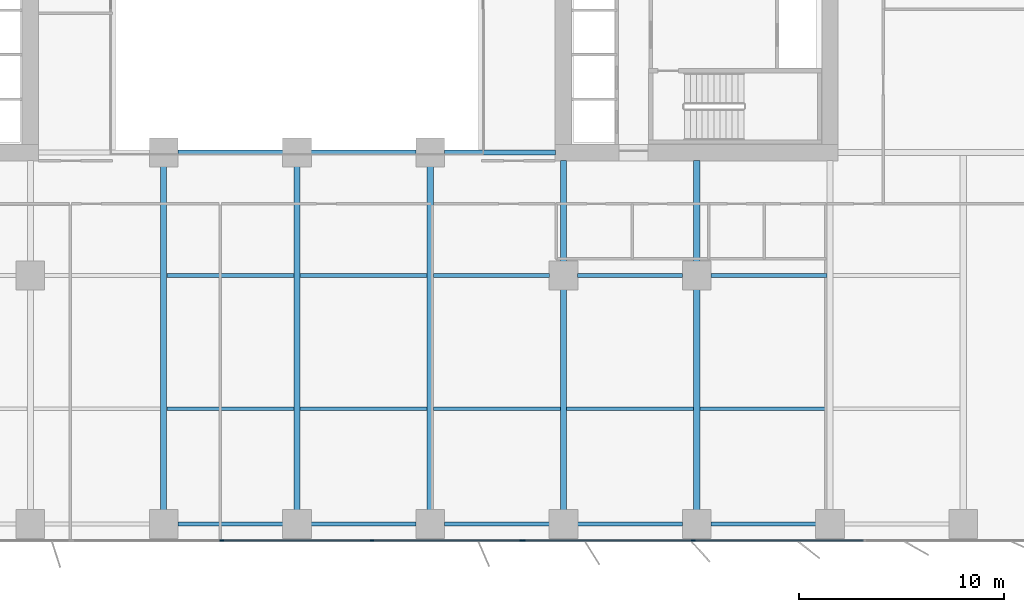
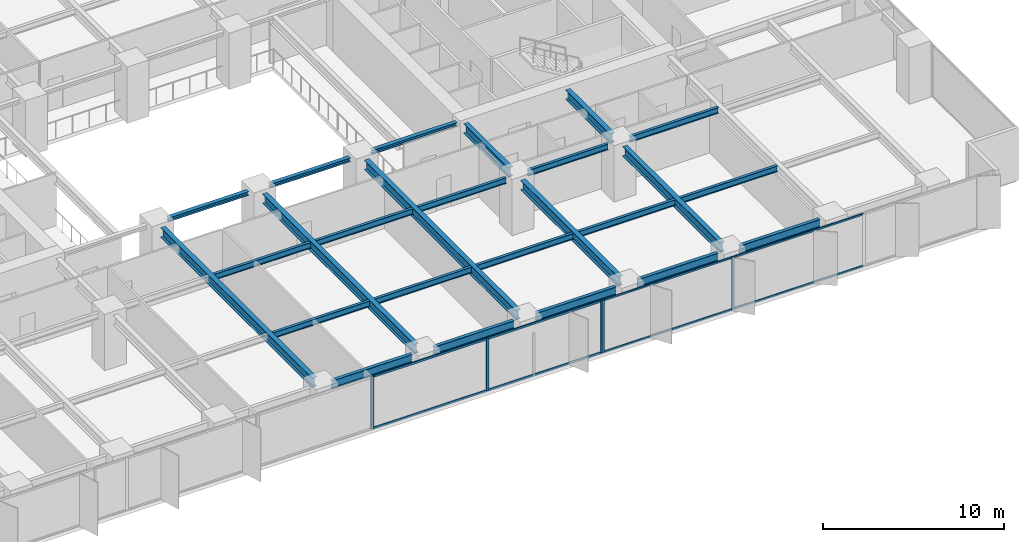
# One storey, part 5 of 20: 25 beams, 13 members, 2 elements without a shape of their own.
"""IFC4 building model written with IfcOpenShell, lengths in metres."""

from ifc_helpers import new_model, si_unit, direction, frame, origin, origin_2d, place, context, subcontext, project, spatial, rectangle, i_section, extrude, material, layer, layer_set, material_profile, profile_set, type_object, element, aggregate, save


model = new_model("IFC4")

# Units and contexts
model_context = context("Model", 3, precision=1e-05, world=origin(), true_north=direction((0.0, 1.0)))
body_context = subcontext(model_context, "Body", "Model", "MODEL_VIEW")
ifc_project = project(units=[si_unit("LENGTHUNIT", "METRE"), si_unit("AREAUNIT", "SQUARE_METRE"), si_unit("VOLUMEUNIT", "CUBIC_METRE"), si_unit("PLANEANGLEUNIT", "RADIAN"), si_unit("MASSUNIT", "GRAM", prefix="KILO")], contexts=[model_context])

# Site, building, storey
site_placement = place(None, origin())
site = spatial("IfcSite", under=ifc_project, at=site_placement, CompositionType="ELEMENT")
building_placement = place(site_placement, origin())
building = spatial("IfcBuilding", under=site, at=building_placement, Name="Putna Gate Headquarters", CompositionType="ELEMENT")
storey_placement = place(building_placement, frame((0.0, 0.0, 65.800048828125)))
storey = spatial("IfcBuildingStorey", under=building, at=storey_placement, Name="L15", CompositionType="ELEMENT", Elevation=65.800048828125)

# Beams
ifc_material_1 = material(Name="Steel S355J2", Category="steel")
ifc_material_profile_1 = material_profile(ifc_material_1, i_section(OverallWidth=0.260009765625, OverallDepth=0.260009765625, WebThickness=0.010009765625, FlangeThickness=0.017578125, at=origin_2d()), Name="Steel S355J2")
ifc_profile_set_1 = profile_set([ifc_material_profile_1], Name="Steel S355J2")
beam_type_1 = type_object("IfcBeamType", Name="BM-ATRIUM-HEB260", PredefinedType="BEAM", material=ifc_profile_set_1)
for number, where, z_axis, x_axis, name in (
    (1, (33.18798828125, 19.0, 3.419921875), (1.0, 0.0, 0.0), (0.0, 1.0, 0.0), "L15 Atrium Edge Beam AS2"),
    (2, (39.68798828125, 19.0, 3.419921875), (1.0, 0.0, 0.0), (0.0, 1.0, 0.0), "L15 Atrium Edge Beam AS3"),
):
    element("IfcBeam", number, at=place(storey_placement, frame(where, z_axis=z_axis, x_axis=x_axis)), inside=storey, type_object=beam_type_1, Name=name, PredefinedType="BEAM", context=body_context, shape_type="SweptSolid", body=[
        extrude(i_section(OverallWidth=0.260009765625, OverallDepth=0.260009765625, WebThickness=0.010009765625, FlangeThickness=0.017578125, at=origin_2d()), origin(), (0.0, 0.0, 1.0), 5.1240234375),
    ])
beam_1_placement = place(storey_placement, frame((46.18798828125, 19.0, 3.419921875), z_axis=(1.0, 0.0, 0.0), x_axis=(0.0, 1.0, 0.0)))
element("IfcBeam", 3, at=beam_1_placement, inside=storey, type_object=beam_type_1, Name="L15 Atrium Edge Beam AS4", PredefinedType="BEAM", context=body_context, shape_type="SweptSolid", body=[
    extrude(i_section(OverallWidth=0.260009765625, OverallDepth=0.260009765625, WebThickness=0.010009765625, FlangeThickness=0.017578125, at=origin_2d()), origin(), (0.0, 0.0, 1.0), 5.427001953125),
])
ifc_material_profile_2 = material_profile(ifc_material_1, i_section(OverallWidth=0.300048828125, OverallDepth=0.64990234375, WebThickness=0.01611328125, FlangeThickness=0.031005859375, at=origin_2d()), Name="Steel S355J2")
ifc_profile_set_2 = profile_set([ifc_material_profile_2], Name="Steel S355J2")
beam_type_2 = type_object("IfcBeamType", Name="BM-GIRD-Z1-HEB650", PredefinedType="USERDEFINED", material=ifc_profile_set_2)
for number, where, z_axis, x_axis, name in (
    (4, (32.5, 1.568115234375, 3.224853515625), (0.0, 1.0, 0.0), (-1.0, 0.0, 0.0), "L15 South Primary Girder X32"),
    (5, (39.0, 1.568115234375, 3.224853515625), (0.0, 1.0, 0.0), (-1.0, 0.0, 0.0), "L15 South Primary Girder X39"),
    (6, (45.5, 1.568115234375, 3.224853515625), (0.0, 1.0, 0.0), (-1.0, 0.0, 0.0), "L15 South Primary Girder X45"),
):
    element("IfcBeam", number, at=place(storey_placement, frame(where, z_axis=z_axis, x_axis=x_axis)), inside=storey, type_object=beam_type_2, Name=name, ObjectType="GIRDER", PredefinedType="USERDEFINED", context=body_context, shape_type="SweptSolid", body=[
        extrude(i_section(OverallWidth=0.300048828125, OverallDepth=0.64990234375, WebThickness=0.01611328125, FlangeThickness=0.031005859375, at=origin_2d()), origin(), (0.0, 0.0, 1.0), 16.743896484375),
    ])
beam_2_placement = place(storey_placement, frame((52.0, 1.568115234375, 3.224853515625), z_axis=(0.0, 1.0, 0.0), x_axis=(-1.0, 0.0, 0.0)))
element("IfcBeam", 7, at=beam_2_placement, inside=storey, type_object=beam_type_2, Name="L15 South Primary Girder X52-1", ObjectType="GIRDER", PredefinedType="USERDEFINED", context=body_context, shape_type="SweptSolid", body=[
    extrude(i_section(OverallWidth=0.300048828125, OverallDepth=0.64990234375, WebThickness=0.01611328125, FlangeThickness=0.031005859375, at=origin_2d()), origin(), (0.0, 0.0, 1.0), 10.743896484375),
])
beam_3_placement = place(storey_placement, frame((52.0, 13.68798828125, 3.224853515625), z_axis=(0.0, 1.0, 0.0), x_axis=(-1.0, 0.0, 0.0)))
element("IfcBeam", 8, at=beam_3_placement, inside=storey, type_object=beam_type_2, Name="L15 South Primary Girder X52-2", ObjectType="GIRDER", PredefinedType="USERDEFINED", context=body_context, shape_type="SweptSolid", body=[
    extrude(i_section(OverallWidth=0.300048828125, OverallDepth=0.64990234375, WebThickness=0.01611328125, FlangeThickness=0.031005859375, at=origin_2d()), origin(), (0.0, 0.0, 1.0), 4.927001953125),
])
beam_4_placement = place(storey_placement, frame((58.5, 1.568115234375, 3.224853515625), z_axis=(0.0, 1.0, 0.0), x_axis=(-1.0, 0.0, 0.0)))
element("IfcBeam", 9, at=beam_4_placement, inside=storey, type_object=beam_type_2, Name="L15 South Primary Girder X58-1", ObjectType="GIRDER", PredefinedType="USERDEFINED", context=body_context, shape_type="SweptSolid", body=[
    extrude(i_section(OverallWidth=0.300048828125, OverallDepth=0.64990234375, WebThickness=0.01611328125, FlangeThickness=0.031005859375, at=origin_2d()), origin(), (0.0, 0.0, 1.0), 10.743896484375),
])
beam_5_placement = place(storey_placement, frame((58.5, 13.68798828125, 3.224853515625), z_axis=(0.0, 1.0, 0.0), x_axis=(-1.0, 0.0, 0.0)))
element("IfcBeam", 10, at=beam_5_placement, inside=storey, type_object=beam_type_2, Name="L15 South Primary Girder X58-2", ObjectType="GIRDER", PredefinedType="USERDEFINED", context=body_context, shape_type="SweptSolid", body=[
    extrude(i_section(OverallWidth=0.300048828125, OverallDepth=0.64990234375, WebThickness=0.01611328125, FlangeThickness=0.031005859375, at=origin_2d()), origin(), (0.0, 0.0, 1.0), 4.927001953125),
])
ifc_material_profile_3 = material_profile(ifc_material_1, i_section(OverallWidth=0.179931640625, OverallDepth=0.39990234375, WebThickness=0.008544921875, FlangeThickness=0.013427734375, at=origin_2d()), Name="Steel S355J2")
ifc_profile_set_3 = profile_set([ifc_material_profile_3], Name="Steel S355J2")
beam_type_3 = type_object("IfcBeamType", Name="BM-SEC-Z1-IPE400", PredefinedType="BEAM", material=ifc_profile_set_3)
for number, where, z_axis, x_axis, name in (
    (11, (32.654052734375, 6.5, 3.349853515625), (1.0, 0.0, 0.0), (0.0, 1.0, 0.0), "L15 South Secondary Beam 5"),
    (12, (32.654052734375, 13.0, 3.349853515625), (1.0, 0.0, 0.0), (0.0, 1.0, 0.0), "L15 South Secondary Beam 5"),
    (13, (39.154052734375, 6.5, 3.349853515625), (1.0, 0.0, 0.0), (0.0, 1.0, 0.0), "L15 South Secondary Beam 6"),
    (14, (39.154052734375, 13.0, 3.349853515625), (1.0, 0.0, 0.0), (0.0, 1.0, 0.0), "L15 South Secondary Beam 6"),
    (15, (45.654052734375, 6.5, 3.349853515625), (1.0, 0.0, 0.0), (0.0, 1.0, 0.0), "L15 South Secondary Beam 7"),
):
    element("IfcBeam", number, at=place(storey_placement, frame(where, z_axis=z_axis, x_axis=x_axis)), inside=storey, type_object=beam_type_3, Name=name, PredefinedType="BEAM", context=body_context, shape_type="SweptSolid", body=[
        extrude(i_section(OverallWidth=0.179931640625, OverallDepth=0.39990234375, WebThickness=0.008544921875, FlangeThickness=0.013427734375, at=origin_2d()), origin(), (0.0, 0.0, 1.0), 6.19189453125),
    ])
beam_6_placement = place(storey_placement, frame((45.654052734375, 13.0, 3.349853515625), z_axis=(1.0, 0.0, 0.0), x_axis=(0.0, 1.0, 0.0)))
element("IfcBeam", 16, at=beam_6_placement, inside=storey, type_object=beam_type_3, Name="L15 South Secondary Beam 7", PredefinedType="BEAM", context=body_context, shape_type="SweptSolid", body=[
    extrude(i_section(OverallWidth=0.179931640625, OverallDepth=0.39990234375, WebThickness=0.008544921875, FlangeThickness=0.013427734375, at=origin_2d()), origin(), (0.0, 0.0, 1.0), 5.657958984375),
])
beam_7_placement = place(storey_placement, frame((52.154052734375, 6.5, 3.349853515625), z_axis=(1.0, 0.0, 0.0), x_axis=(0.0, 1.0, 0.0)))
element("IfcBeam", 17, at=beam_7_placement, inside=storey, type_object=beam_type_3, Name="L15 South Secondary Beam 8", PredefinedType="BEAM", context=body_context, shape_type="SweptSolid", body=[
    extrude(i_section(OverallWidth=0.179931640625, OverallDepth=0.39990234375, WebThickness=0.008544921875, FlangeThickness=0.013427734375, at=origin_2d()), origin(), (0.0, 0.0, 1.0), 6.19189453125),
])
beam_8_placement = place(storey_placement, frame((52.68798828125, 13.0, 3.349853515625), z_axis=(1.0, 0.0, 0.0), x_axis=(0.0, 1.0, 0.0)))
element("IfcBeam", 18, at=beam_8_placement, inside=storey, type_object=beam_type_3, Name="L15 South Secondary Beam 8", PredefinedType="BEAM", context=body_context, shape_type="SweptSolid", body=[
    extrude(i_section(OverallWidth=0.179931640625, OverallDepth=0.39990234375, WebThickness=0.008544921875, FlangeThickness=0.013427734375, at=origin_2d()), origin(), (0.0, 0.0, 1.0), 5.1240234375),
])
beam_9_placement = place(storey_placement, frame((58.654052734375, 6.5, 3.349853515625), z_axis=(1.0, 0.0, 0.0), x_axis=(0.0, 1.0, 0.0)))
element("IfcBeam", 19, at=beam_9_placement, inside=storey, type_object=beam_type_3, Name="L15 South Secondary Beam 9", PredefinedType="BEAM", context=body_context, shape_type="SweptSolid", body=[
    extrude(i_section(OverallWidth=0.179931640625, OverallDepth=0.39990234375, WebThickness=0.008544921875, FlangeThickness=0.013427734375, at=origin_2d()), origin(), (0.0, 0.0, 1.0), 6.19189453125),
])
beam_10_placement = place(storey_placement, frame((59.18798828125, 13.0, 3.349853515625), z_axis=(1.0, 0.0, 0.0), x_axis=(0.0, 1.0, 0.0)))
element("IfcBeam", 20, at=beam_10_placement, inside=storey, type_object=beam_type_3, Name="L15 South Secondary Beam 9", PredefinedType="BEAM", context=body_context, shape_type="SweptSolid", body=[
    extrude(i_section(OverallWidth=0.179931640625, OverallDepth=0.39990234375, WebThickness=0.008544921875, FlangeThickness=0.013427734375, at=origin_2d()), origin(), (0.0, 0.0, 1.0), 5.657958984375),
])
ifc_material_profile_4 = material_profile(ifc_material_1, i_section(OverallWidth=0.2099609375, OverallDepth=0.550048828125, WebThickness=0.010986328125, FlangeThickness=0.01708984375, at=origin_2d()), Name="Steel S355J2")
ifc_profile_set_4 = profile_set([ifc_material_profile_4], Name="Steel S355J2")
beam_type_4 = type_object("IfcBeamType", Name="BM-SPAN-Z1-IPE550", PredefinedType="SPANDREL", material=ifc_profile_set_4)
for number, where, z_axis, x_axis, name in (
    (21, (33.18798828125, 0.8798828125, 3.27490234375), (1.0, 0.0, 0.0), (0.0, 1.0, 0.0), "L15 S Perimeter Spandrel 5"),
    (22, (39.68798828125, 0.8798828125, 3.27490234375), (1.0, 0.0, 0.0), (0.0, 1.0, 0.0), "L15 S Perimeter Spandrel 6"),
    (23, (46.18798828125, 0.8798828125, 3.27490234375), (1.0, 0.0, 0.0), (0.0, 1.0, 0.0), "L15 S Perimeter Spandrel 7"),
    (24, (52.68798828125, 0.8798828125, 3.27490234375), (1.0, 0.0, 0.0), (0.0, 1.0, 0.0), "L15 S Perimeter Spandrel 8"),
    (25, (59.18798828125, 0.8798828125, 3.27490234375), (1.0, 0.0, 0.0), (0.0, 1.0, 0.0), "L15 S Perimeter Spandrel 9"),
):
    element("IfcBeam", number, at=place(storey_placement, frame(where, z_axis=z_axis, x_axis=x_axis)), inside=storey, type_object=beam_type_4, Name=name, PredefinedType="SPANDREL", context=body_context, shape_type="SweptSolid", body=[
        extrude(i_section(OverallWidth=0.2099609375, OverallDepth=0.550048828125, WebThickness=0.010986328125, FlangeThickness=0.01708984375, at=origin_2d()), origin(), (0.0, 0.0, 1.0), 5.1240234375),
    ])

# Curtain wall, members
ifc_material_2 = material(Name="Anodised bronze aluminium curtain wall", Category="aluminium")
ifc_layer_1 = layer(ifc_material_2, 0.179931640625)
ifc_layer_set_1 = layer_set([ifc_layer_1], Name="Anodised bronze aluminium curtain wall")
curtain_wall_type_1 = type_object("IfcCurtainWallType", Name="CW-SYS-Z1", PredefinedType="USERDEFINED", material=ifc_layer_set_1)
curtain_wall_1_placement = place(storey_placement, origin())
curtain_wall_1 = element("IfcCurtainWall", 26, at=curtain_wall_1_placement, inside=storey, type_object=curtain_wall_type_1, Name="L15 South East Curtain Wall", ObjectType="STICK CURTAIN WALL", PredefinedType="USERDEFINED")
ifc_material_3 = material(Name="Anodised bronze aluminium EN AW-6060", Category="aluminium")
ifc_material_profile_5 = material_profile(ifc_material_3, rectangle(XDim=0.070068359375, YDim=0.179931640625, at=origin_2d()), Name="Anodised bronze aluminium EN AW-6060")
ifc_profile_set_5 = profile_set([ifc_material_profile_5], Name="Anodised bronze aluminium EN AW-6060")
member_type_1 = type_object("IfcMemberType", Name="MULL-CWM-1", PredefinedType="MULLION", material=ifc_profile_set_5)
member_1_placement = place(storey_placement, frame((50.034912109375, 0.080078125, 0.0), z_axis=(0.0, 0.0, 1.0), x_axis=(0.0, 1.0, 0.0)))
member_1 = element("IfcMember", 27, at=member_1_placement, type_object=member_type_1, Name="CWS-1 mullion 1", PredefinedType="MULLION", context=body_context, shape_type="SweptSolid", body=[
    extrude(rectangle(XDim=0.070068359375, YDim=0.179931640625, at=origin_2d()), origin(), (0.0, 0.0, 1.0), 3.550048828125),
])
member_2_placement = place(storey_placement, frame((58.333251953125, 0.080078125, 0.0), z_axis=(0.0, 0.0, 1.0), x_axis=(0.0, 1.0, 0.0)))
member_2 = element("IfcMember", 28, at=member_2_placement, type_object=member_type_1, Name="CWS-1 mullion 2", PredefinedType="MULLION", context=body_context, shape_type="SweptSolid", body=[
    extrude(rectangle(XDim=0.070068359375, YDim=0.179931640625, at=origin_2d()), origin(), (0.0, 0.0, 1.0), 3.550048828125),
])

ifc_layer_2 = layer(ifc_material_2, 0.179931640625)
ifc_layer_set_2 = layer_set([ifc_layer_2], Name="Anodised bronze aluminium curtain wall")
curtain_wall_type_2 = type_object("IfcCurtainWallType", Name="CW-SYS-ATR", PredefinedType="USERDEFINED", material=ifc_layer_set_2)
curtain_wall_2_placement = place(storey_placement, origin())
curtain_wall_2 = element("IfcCurtainWall", 29, at=curtain_wall_2_placement, inside=storey, type_object=curtain_wall_type_2, Name="L15 South Atrium Clear Glazing", ObjectType="ATRIUM GLAZING", PredefinedType="USERDEFINED")
ifc_material_profile_6 = material_profile(ifc_material_3, rectangle(XDim=0.070068359375, YDim=0.179931640625, at=origin_2d()), Name="Anodised bronze aluminium EN AW-6060")
ifc_profile_set_6 = profile_set([ifc_material_profile_6], Name="Anodised bronze aluminium EN AW-6060")
member_type_2 = type_object("IfcMemberType", Name="MULL-CWM-AT", PredefinedType="MULLION", material=ifc_profile_set_6)
member_3_placement = place(storey_placement, frame((35.333251953125, 0.080078125, 0.0), z_axis=(0.0, 0.0, 1.0), x_axis=(0.0, 1.0, 0.0)))
member_3 = element("IfcMember", 30, at=member_3_placement, type_object=member_type_2, Name="CWS-AT mullion 2", PredefinedType="MULLION", context=body_context, shape_type="SweptSolid", body=[
    extrude(rectangle(XDim=0.070068359375, YDim=0.179931640625, at=origin_2d()), origin(), (0.0, 0.0, 1.0), 3.550048828125),
])
member_4_placement = place(storey_placement, frame((42.666748046875, 0.080078125, 0.0), z_axis=(0.0, 0.0, 1.0), x_axis=(0.0, 1.0, 0.0)))
member_4 = element("IfcMember", 31, at=member_4_placement, type_object=member_type_2, Name="CWS-AT mullion 3", PredefinedType="MULLION", context=body_context, shape_type="SweptSolid", body=[
    extrude(rectangle(XDim=0.070068359375, YDim=0.179931640625, at=origin_2d()), origin(), (0.0, 0.0, 1.0), 3.550048828125),
])
member_5_placement = place(storey_placement, frame((49.965087890625, 0.080078125, 0.0), z_axis=(0.0, 0.0, 1.0), x_axis=(0.0, 1.0, 0.0)))
member_5 = element("IfcMember", 32, at=member_5_placement, type_object=member_type_2, Name="CWS-AT mullion 4", PredefinedType="MULLION", context=body_context, shape_type="SweptSolid", body=[
    extrude(rectangle(XDim=0.070068359375, YDim=0.179931640625, at=origin_2d()), origin(), (0.0, 0.0, 1.0), 3.550048828125),
])

# Member
ifc_material_profile_7 = material_profile(ifc_material_3, rectangle(XDim=0.06494140625, YDim=0.1201171875, at=origin_2d()), Name="Anodised bronze aluminium EN AW-6060")
ifc_profile_set_7 = profile_set([ifc_material_profile_7], Name="Anodised bronze aluminium EN AW-6060")
member_type_3 = type_object("IfcMemberType", Name="TRAN-CWT-1", PredefinedType="USERDEFINED", material=ifc_profile_set_7)
member_6_placement = place(storey_placement, frame((50.070068359375, 0.080078125, 0.032470703125), z_axis=(1.0, 0.0, 0.0), x_axis=(0.0, 1.0, 0.0)))
member_6 = element("IfcMember", 33, at=member_6_placement, type_object=member_type_3, Name="CWS-1 transom 1.1", ObjectType="TRANSOM", PredefinedType="USERDEFINED", context=body_context, shape_type="SweptSolid", body=[
    extrude(rectangle(XDim=0.06494140625, YDim=0.1201171875, at=origin_2d()), origin(), (0.0, 0.0, 1.0), 8.228271484375),
])

member_7_placement = place(storey_placement, frame((50.070068359375, 0.080078125, 3.517333984375), z_axis=(1.0, 0.0, 0.0), x_axis=(0.0, 1.0, 0.0)))
member_7 = element("IfcMember", 34, at=member_7_placement, type_object=member_type_3, Name="CWS-1 transom 1.2", ObjectType="TRANSOM", PredefinedType="USERDEFINED", context=body_context, shape_type="SweptSolid", body=[
    extrude(rectangle(XDim=0.06494140625, YDim=0.1201171875, at=origin_2d()), origin(), (0.0, 0.0, 1.0), 8.228271484375),
])

member_8_placement = place(storey_placement, frame((58.368408203125, 0.080078125, 0.032470703125), z_axis=(1.0, 0.0, 0.0), x_axis=(0.0, 1.0, 0.0)))
member_8 = element("IfcMember", 35, at=member_8_placement, type_object=member_type_3, Name="CWS-1 transom 2.1", ObjectType="TRANSOM", PredefinedType="USERDEFINED", context=body_context, shape_type="SweptSolid", body=[
    extrude(rectangle(XDim=0.06494140625, YDim=0.1201171875, at=origin_2d()), origin(), (0.0, 0.0, 1.0), 8.26318359375),
])

member_9_placement = place(storey_placement, frame((58.368408203125, 0.080078125, 3.517333984375), z_axis=(1.0, 0.0, 0.0), x_axis=(0.0, 1.0, 0.0)))
member_9 = element("IfcMember", 36, at=member_9_placement, type_object=member_type_3, Name="CWS-1 transom 2.2", ObjectType="TRANSOM", PredefinedType="USERDEFINED", context=body_context, shape_type="SweptSolid", body=[
    extrude(rectangle(XDim=0.06494140625, YDim=0.1201171875, at=origin_2d()), origin(), (0.0, 0.0, 1.0), 8.26318359375),
])

aggregate(curtain_wall_1, [member_1, member_2, member_6, member_7, member_8, member_9])

ifc_material_profile_8 = material_profile(ifc_material_3, rectangle(XDim=0.070068359375, YDim=0.139892578125, at=origin_2d()), Name="Anodised bronze aluminium EN AW-6060")
ifc_profile_set_8 = profile_set([ifc_material_profile_8], Name="Anodised bronze aluminium EN AW-6060")
member_type_4 = type_object("IfcMemberType", Name="TRAN-CWT-AT", PredefinedType="USERDEFINED", material=ifc_profile_set_8)
member_10_placement = place(storey_placement, frame((35.368408203125, 0.080078125, 0.034912109375), z_axis=(1.0, 0.0, 0.0), x_axis=(0.0, 1.0, 0.0)))
member_10 = element("IfcMember", 37, at=member_10_placement, type_object=member_type_4, Name="CWS-AT transom 2.1", ObjectType="TRANSOM", PredefinedType="USERDEFINED", context=body_context, shape_type="SweptSolid", body=[
    extrude(rectangle(XDim=0.070068359375, YDim=0.139892578125, at=origin_2d()), origin(), (0.0, 0.0, 1.0), 7.26318359375),
])

member_11_placement = place(storey_placement, frame((35.368408203125, 0.080078125, 3.514892578125), z_axis=(1.0, 0.0, 0.0), x_axis=(0.0, 1.0, 0.0)))
member_11 = element("IfcMember", 38, at=member_11_placement, type_object=member_type_4, Name="CWS-AT transom 2.2", ObjectType="TRANSOM", PredefinedType="USERDEFINED", context=body_context, shape_type="SweptSolid", body=[
    extrude(rectangle(XDim=0.070068359375, YDim=0.139892578125, at=origin_2d()), origin(), (0.0, 0.0, 1.0), 7.26318359375),
])

member_12_placement = place(storey_placement, frame((42.70166015625, 0.080078125, 0.034912109375), z_axis=(1.0, 0.0, 0.0), x_axis=(0.0, 1.0, 0.0)))
member_12 = element("IfcMember", 39, at=member_12_placement, type_object=member_type_4, Name="CWS-AT transom 3.1", ObjectType="TRANSOM", PredefinedType="USERDEFINED", context=body_context, shape_type="SweptSolid", body=[
    extrude(rectangle(XDim=0.070068359375, YDim=0.139892578125, at=origin_2d()), origin(), (0.0, 0.0, 1.0), 7.228271484375),
])

member_13_placement = place(storey_placement, frame((42.70166015625, 0.080078125, 3.514892578125), z_axis=(1.0, 0.0, 0.0), x_axis=(0.0, 1.0, 0.0)))
member_13 = element("IfcMember", 40, at=member_13_placement, type_object=member_type_4, Name="CWS-AT transom 3.2", ObjectType="TRANSOM", PredefinedType="USERDEFINED", context=body_context, shape_type="SweptSolid", body=[
    extrude(rectangle(XDim=0.070068359375, YDim=0.139892578125, at=origin_2d()), origin(), (0.0, 0.0, 1.0), 7.228271484375),
])

aggregate(curtain_wall_2, [member_3, member_4, member_5, member_10, member_11, member_12, member_13])

save(model, "model.ifc")
